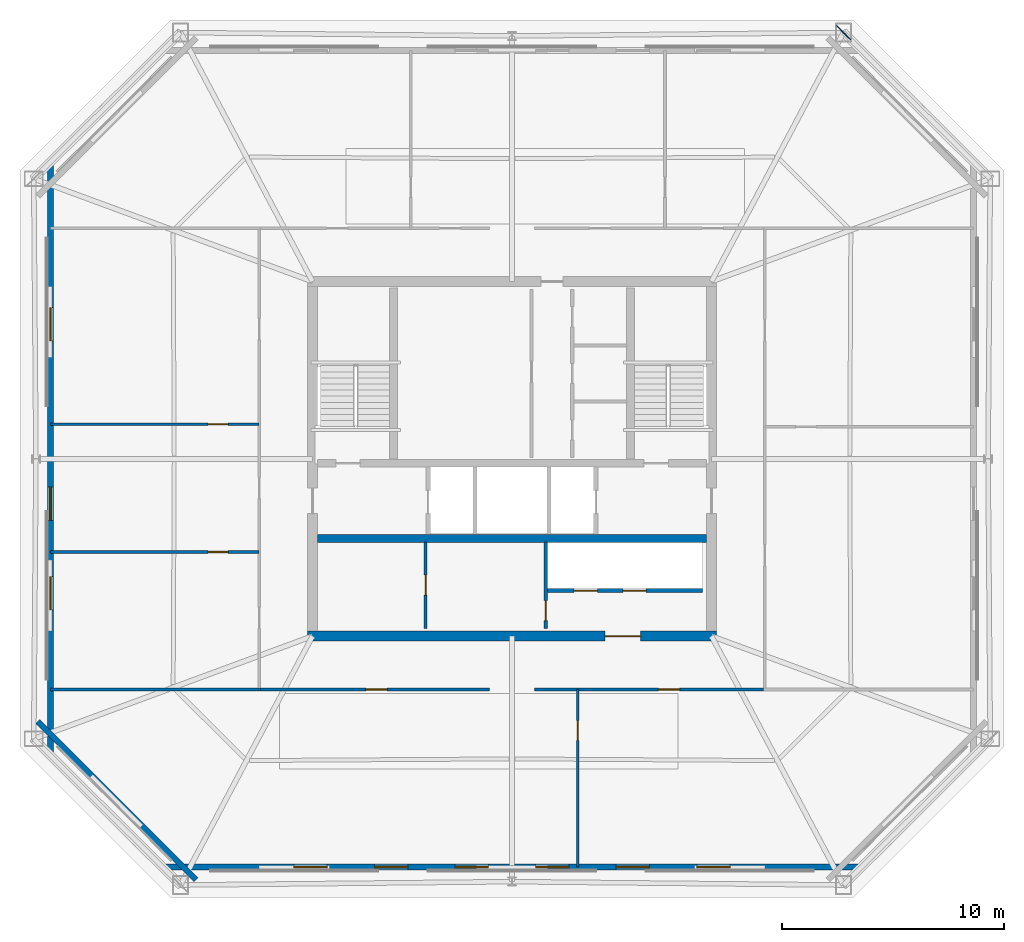
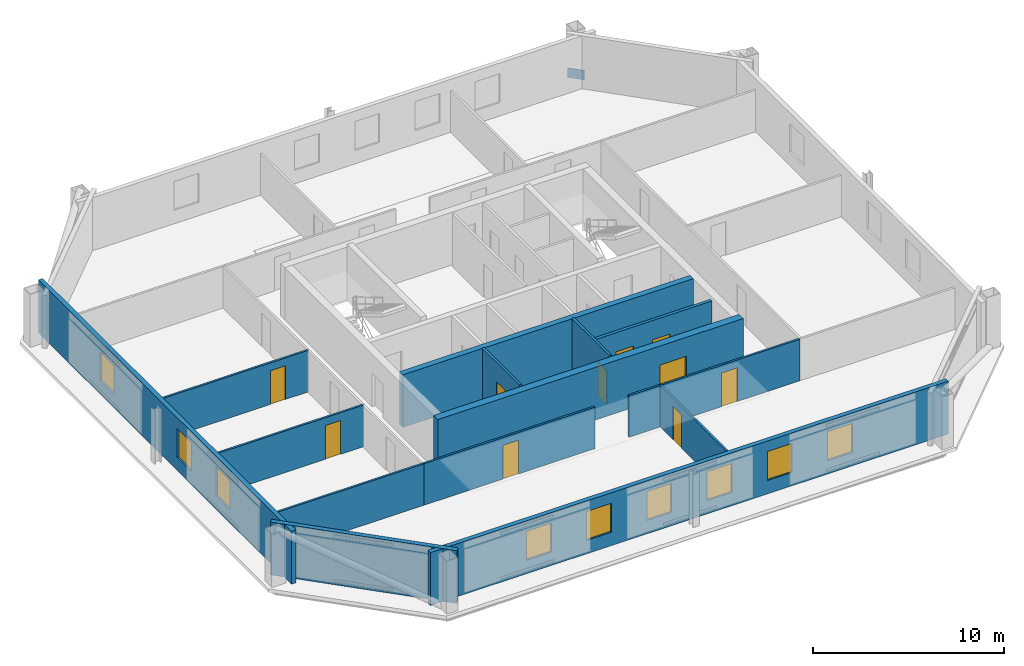
# One storey, part 2 of 6: 14 walls, 10 doors, 9 windows, 1 plate, 19 openings.
"""IFC4 building model written with IfcOpenShell, lengths in metres."""

from ifc_helpers import new_model, si_unit, direction, frame, frame_2d, origin, origin_2d, place, context, subcontext, project, spatial, rectangle, extrude, material, layer, layer_set, type_object, element, fill, save


model = new_model("IFC4")

# Units and contexts
model_context = context("Model", 3, precision=1e-05, world=origin(), true_north=direction((0.0, 1.0)))
body_context = subcontext(model_context, "Body", "Model", "MODEL_VIEW")
ifc_project = project(units=[si_unit("LENGTHUNIT", "METRE"), si_unit("AREAUNIT", "SQUARE_METRE"), si_unit("VOLUMEUNIT", "CUBIC_METRE"), si_unit("PLANEANGLEUNIT", "RADIAN"), si_unit("MASSUNIT", "GRAM", prefix="KILO")], contexts=[model_context])

# Site, building, storey
site_placement = place(None, origin())
site = spatial("IfcSite", under=ifc_project, at=site_placement, CompositionType="ELEMENT")
building_placement = place(site_placement, origin())
building = spatial("IfcBuilding", under=site, at=building_placement, Name="Caelvoria Tower", CompositionType="ELEMENT")
storey_placement = place(building_placement, frame((0.0, 0.0, 202.199951171875)))
storey = spatial("IfcBuildingStorey", under=building, at=storey_placement, Name="L53", CompositionType="ELEMENT", Elevation=202.199951171875)

# Plate
ifc_material_1 = material(Name="Structural Steel ASTM A572 Gr.50", Category="steel")
ifc_layer_1 = layer(ifc_material_1, 0.0400390625, Name="Structural Steel ASTM A572 Gr.50")
ifc_layer_set_1 = layer_set([ifc_layer_1], Name="Megaframe Node Gusset Plate 900x600x40 - Structural Steel ASTM A572 Gr.50")
plate_type = type_object("IfcPlateType", Name="Megaframe Node Gusset Plate 900x600x40", PredefinedType="USERDEFINED", material=ifc_layer_set_1)
plate_placement = place(storey_placement, frame((60.9580078125, 51.231689453125, 0.02001953125), z_axis=(0.0, 0.0, 1.0), x_axis=(0.708453170596, -0.705757823245, 0.0)))
element("IfcPlate", 1, at=plate_placement, inside=storey, type_object=plate_type, Name="Chamfer Mega Brace Gusset L53 NE", ObjectType="GUSSET_PLATE", PredefinedType="USERDEFINED", context=body_context, shape_type="SweptSolid", body=[
    extrude(rectangle(XDim=0.89990234375, YDim=0.0400390625, at=origin_2d()), origin(), (0.0, 0.0, 1.0), 0.60009765625),
])

# Wall
ifc_material_2 = material(Name="Concrete C50/60", Category="concrete")
ifc_layer_2 = layer(ifc_material_2, 0.35009765625, Name="Concrete C50/60")
ifc_layer_set_2 = layer_set([ifc_layer_2], Name="Core Internal Shear Wall 350 - Concrete C50/60")
wall_type_1 = type_object("IfcWallType", Name="Core Internal Shear Wall 350", PredefinedType="SHEAR", material=ifc_layer_set_2)
wall_1_placement = place(storey_placement, frame((37.22509765625, 28.39990234375, 0.0), z_axis=(0.0, 0.0, 1.0), x_axis=(1.0, 0.0, 0.0)))
element("IfcWall", 2, at=wall_1_placement, inside=storey, type_object=wall_type_1, Name="Core Shear Wall L53 M2", PredefinedType="SHEAR", context=body_context, shape_type="SweptSolid", body=[
    extrude(rectangle(XDim=17.5498046875, YDim=0.35009765625, at=frame_2d((8.77490234375, 0.0))), origin(), (0.0, 0.0, 1.0), 3.360107421875),
])

# Wall, opening, door
ifc_material_3 = material(Name="Double Gypsum Board on Steel Stud", Category="steel")
ifc_layer_3 = layer(ifc_material_3, 0.14990234375, Name="Double Gypsum Board on Steel Stud")
ifc_layer_set_3 = layer_set([ifc_layer_3], Name="Core Service Acoustic Partition Wall 150 - Double Gypsum Board on Steel Stud")
wall_type_2 = type_object("IfcWallType", Name="Core Service Acoustic Partition Wall 150", PredefinedType="PARTITIONING", material=ifc_layer_set_3)
wall_2_placement = place(storey_placement, frame((42.10009765625, 24.35009765625, 0.0), z_axis=(0.0, 0.0, 1.0), x_axis=(0.0, 1.0, 0.0)))
wall_2 = element("IfcWall", 3, at=wall_2_placement, inside=storey, type_object=wall_type_2, Name="Interior Partition IW-L53-RECL-MID", PredefinedType="PARTITIONING", context=body_context, shape_type="SweptSolid", body=[
    extrude(rectangle(XDim=3.89990234375, YDim=0.14990234375, at=frame_2d((1.949951171875, 0.0))), origin(), (0.0, 0.0, 1.0), 3.375),
])
opening_1_placement = place(wall_2_placement, frame((1.5, 0.0, 0.0)))
opening_1 = element("IfcOpeningElement", 4, at=opening_1_placement, cuts=wall_2, Name="Opening ID-06", PredefinedType="OPENING", context=body_context, shape_type="SweptSolid", body=[
    extrude(rectangle(XDim=0.89990234375, YDim=2.14990234375, at=frame_2d((0.449951171875, 1.074951171875))), frame((0.0, 0.0849609375, 0.0), z_axis=(0.0, -1.0, 0.0), x_axis=(1.0, 0.0, 0.0)), (0.0, 0.0, 1.0), 0.169921875),
])
ifc_material_4 = material(Name="Engineered Andean Oak Veneer Door", Category="wood")
door_type_1 = type_object("IfcDoorType", Name="Interior Timber Door 900x2150", OperationType="NOTDEFINED", PredefinedType="DOOR", material=ifc_material_4)
door_1_placement = place(opening_1_placement, origin())
door_1 = element("IfcDoor", 5, at=door_1_placement, inside=storey, type_object=door_type_1, Name="Interior Door DR-L53-RECL12", OperationType="SINGLE_SWING_LEFT", OverallHeight=2.14990234375, OverallWidth=0.89990234375, PredefinedType="DOOR", context=body_context, shape_type="SweptSolid", body=[
    extrude(rectangle(XDim=0.89990234375, YDim=2.14990234375, at=frame_2d((0.449951171875, 1.074951171875))), frame((0.0, 0.02490234375, 0.0), z_axis=(0.0, -1.0, 0.0), x_axis=(1.0, 0.0, 0.0)), (0.0, 0.0, 1.0), 0.050048828125),
])
fill(opening_1, door_1)

wall_3_placement = place(storey_placement, frame((47.52001953125, 24.35009765625, 0.0), z_axis=(0.0, 0.0, 1.0), x_axis=(0.0, 1.0, 0.0)))
wall_3 = element("IfcWall", 6, at=wall_3_placement, inside=storey, type_object=wall_type_2, Name="Interior Partition IW-L53-RECL2E", PredefinedType="PARTITIONING", context=body_context, shape_type="SweptSolid", body=[
    extrude(rectangle(XDim=3.89990234375, YDim=0.14990234375, at=frame_2d((1.949951171875, 0.0))), origin(), (0.0, 0.0, 1.0), 3.375),
])
opening_2_placement = place(wall_3_placement, frame((0.35009765625, 0.0, 0.0)))
opening_2 = element("IfcOpeningElement", 7, at=opening_2_placement, cuts=wall_3, Name="Opening ID-04", PredefinedType="OPENING", context=body_context, shape_type="SweptSolid", body=[
    extrude(rectangle(XDim=0.89990234375, YDim=2.14990234375, at=frame_2d((0.449951171875, 1.074951171875))), frame((0.0, 0.0849609375, 0.0), z_axis=(0.0, -1.0, 0.0), x_axis=(1.0, 0.0, 0.0)), (0.0, 0.0, 1.0), 0.169921875),
])
ifc_material_5 = material(Name="Acoustic Timber Fire Door", Category="wood")
door_type_2 = type_object("IfcDoorType", Name="Fire Door FD30S 900x2150", OperationType="NOTDEFINED", PredefinedType="DOOR", material=ifc_material_5)
door_2_placement = place(opening_2_placement, origin())
door_2 = element("IfcDoor", 8, at=door_2_placement, inside=storey, type_object=door_type_2, Name="Interior Door DR-L53-RECL2", OperationType="SINGLE_SWING_RIGHT", OverallHeight=2.14990234375, OverallWidth=0.89990234375, PredefinedType="DOOR", context=body_context, shape_type="SweptSolid", body=[
    extrude(rectangle(XDim=0.89990234375, YDim=2.14990234375, at=frame_2d((0.449951171875, 1.074951171875))), frame((0.0, 0.02490234375, 0.0), z_axis=(0.0, -1.0, 0.0), x_axis=(1.0, 0.0, 0.0)), (0.0, 0.0, 1.0), 0.050048828125),
])
fill(opening_2, door_2)

# Wall, openings, doors
ifc_material_6 = material(Name="Concrete Block and Fireboard Assembly", Category="concrete")
ifc_layer_4 = layer(ifc_material_6, 0.179931640625, Name="Concrete Block and Fireboard Assembly")
ifc_layer_set_4 = layer_set([ifc_layer_4], Name="Fire-Rated Hoistway Partition Wall 180 - Concrete Block and Fireboard Assembly")
wall_type_3 = type_object("IfcWallType", Name="Fire-Rated Hoistway Partition Wall 180", PredefinedType="PARTITIONING", material=ifc_layer_set_4)
wall_4_placement = place(storey_placement, frame((47.60009765625, 26.050048828125, 0.0), z_axis=(0.0, 0.0, 1.0), x_axis=(1.0, 0.0, 0.0)))
wall_4 = element("IfcWall", 9, at=wall_4_placement, inside=storey, type_object=wall_type_3, Name="Interior Partition IW-L53-LFRONT", PredefinedType="PARTITIONING", context=body_context, shape_type="SweptSolid", body=[
    extrude(rectangle(XDim=7.0, YDim=0.179931640625, at=frame_2d((3.5, 0.0))), origin(), (0.0, 0.0, 1.0), 3.375),
])
opening_3_placement = place(wall_4_placement, frame((1.199951171875, 0.0, 0.0)))
opening_3 = element("IfcOpeningElement", 10, at=opening_3_placement, cuts=wall_4, Name="Opening LD-01", PredefinedType="OPENING", context=body_context, shape_type="SweptSolid", body=[
    extrude(rectangle(XDim=1.050048828125, YDim=2.14990234375, at=frame_2d((0.52490234375, 1.074951171875))), frame((0.0, 0.099853515625, 0.0), z_axis=(0.0, -1.0, 0.0), x_axis=(1.0, 0.0, 0.0)), (0.0, 0.0, 1.0), 0.199951171875),
])
opening_4_placement = place(wall_4_placement, frame((3.39990234375, 0.0, 0.0)))
opening_4 = element("IfcOpeningElement", 11, at=opening_4_placement, cuts=wall_4, Name="Opening LD-01", PredefinedType="OPENING", context=body_context, shape_type="SweptSolid", body=[
    extrude(rectangle(XDim=1.050048828125, YDim=2.14990234375, at=frame_2d((0.52490234375, 1.074951171875))), frame((0.0, 0.099853515625, 0.0), z_axis=(0.0, -1.0, 0.0), x_axis=(1.0, 0.0, 0.0)), (0.0, 0.0, 1.0), 0.199951171875),
])
ifc_material_7 = material(Name="Brushed Bronze Stainless Sliding Landing Door", Category="aluminium")
door_type_3 = type_object("IfcDoorType", Name="Lift Landing Sliding Door 1100x2150", OperationType="NOTDEFINED", PredefinedType="DOOR", material=ifc_material_7)
door_3_placement = place(opening_3_placement, origin())
door_3 = element("IfcDoor", 12, at=door_3_placement, inside=storey, type_object=door_type_3, Name="Interior Door LD-L53-PH1", OperationType="SLIDING_TO_LEFT", OverallHeight=2.14990234375, OverallWidth=1.050048828125, PredefinedType="DOOR", context=body_context, shape_type="SweptSolid", body=[
    extrude(rectangle(XDim=1.050048828125, YDim=2.14990234375, at=frame_2d((0.52490234375, 1.074951171875))), frame((0.0, 0.02490234375, 0.0), z_axis=(0.0, -1.0, 0.0), x_axis=(1.0, 0.0, 0.0)), (0.0, 0.0, 1.0), 0.050048828125),
])
fill(opening_3, door_3)
door_4_placement = place(opening_4_placement, origin())
door_4 = element("IfcDoor", 13, at=door_4_placement, inside=storey, type_object=door_type_3, Name="Interior Door LD-L53-PH2", OperationType="SLIDING_TO_RIGHT", OverallHeight=2.14990234375, OverallWidth=1.050048828125, PredefinedType="DOOR", context=body_context, shape_type="SweptSolid", body=[
    extrude(rectangle(XDim=1.050048828125, YDim=2.14990234375, at=frame_2d((0.52490234375, 1.074951171875))), frame((0.0, 0.02490234375, 0.0), z_axis=(0.0, -1.0, 0.0), x_axis=(1.0, 0.0, 0.0)), (0.0, 0.0, 1.0), 0.050048828125),
])
fill(opening_4, door_4)

# Wall, opening, door
ifc_material_8 = material(Name="Acoustic Gypsum Board on Light-Gauge Stud", Category="gypsum")
ifc_layer_5 = layer(ifc_material_8, 0.1201171875, Name="Acoustic Gypsum Board on Light-Gauge Stud")
ifc_layer_set_5 = layer_set([ifc_layer_5], Name="Tenant Suite Acoustic Partition Wall 120 - Acoustic Gypsum Board on Light-Gauge Stud")
wall_type_4 = type_object("IfcWallType", Name="Tenant Suite Acoustic Partition Wall 120", PredefinedType="PARTITIONING", material=ifc_layer_set_5)
wall_5_placement = place(storey_placement, frame((48.959228515625, 21.590087890625, 0.0), z_axis=(0.0, 0.0, 1.0), x_axis=(0.0, -1.0, 0.0)))
wall_5 = element("IfcWall", 14, at=wall_5_placement, inside=storey, type_object=wall_type_4, Name="Interior Partition IW-L53-SD-00-0", PredefinedType="PARTITIONING", context=body_context, shape_type="SweptSolid", body=[
    extrude(rectangle(XDim=8.010009765625, YDim=0.1201171875, at=frame_2d((4.0048828125, 0.0))), origin(), (0.0, 0.0, 1.0), 2.655029296875),
])
opening_5_placement = place(wall_5_placement, frame((1.39990234375, 0.0, 0.0)))
opening_5 = element("IfcOpeningElement", 15, at=opening_5_placement, cuts=wall_5, Name="Opening ID-06", PredefinedType="OPENING", context=body_context, shape_type="SweptSolid", body=[
    extrude(rectangle(XDim=0.89990234375, YDim=2.14990234375, at=frame_2d((0.449951171875, 1.074951171875))), frame((0.0, 0.070068359375, 0.0), z_axis=(0.0, -1.0, 0.0), x_axis=(1.0, 0.0, 0.0)), (0.0, 0.0, 1.0), 0.14013671875),
])
door_5_placement = place(opening_5_placement, origin())
door_5 = element("IfcDoor", 16, at=door_5_placement, inside=storey, type_object=door_type_1, Name="Interior Door DR-L53-SM-00-0", OperationType="SINGLE_SWING_RIGHT", OverallHeight=2.14990234375, OverallWidth=0.89990234375, PredefinedType="DOOR", context=body_context, shape_type="SweptSolid", body=[
    extrude(rectangle(XDim=0.89990234375, YDim=2.14990234375, at=frame_2d((0.449951171875, 1.074951171875))), frame((0.0, 0.02490234375, 0.0), z_axis=(0.0, -1.0, 0.0), x_axis=(1.0, 0.0, 0.0)), (0.0, 0.0, 1.0), 0.050048828125),
])
fill(opening_5, door_5)

wall_6_placement = place(storey_placement, frame((34.64990234375, 21.590087890625, 0.0), z_axis=(0.0, 0.0, 1.0), x_axis=(1.0, 0.0, 0.0)))
wall_6 = element("IfcWall", 17, at=wall_6_placement, inside=storey, type_object=wall_type_4, Name="Interior Partition IW-L53-SCW-0", PredefinedType="PARTITIONING", context=body_context, shape_type="SweptSolid", body=[
    extrude(rectangle(XDim=10.330078125, YDim=0.1201171875, at=frame_2d((5.1650390625, 0.0))), origin(), (0.0, 0.0, 1.0), 2.655029296875),
])
opening_6_placement = place(wall_6_placement, frame((4.760009765625, 0.0, 0.0)))
opening_6 = element("IfcOpeningElement", 18, at=opening_6_placement, cuts=wall_6, Name="Opening ID-05", PredefinedType="OPENING", context=body_context, shape_type="SweptSolid", body=[
    extrude(rectangle(XDim=0.949951171875, YDim=2.14990234375, at=frame_2d((0.47509765625, 1.074951171875))), frame((0.0, 0.070068359375, 0.0), z_axis=(0.0, -1.0, 0.0), x_axis=(1.0, 0.0, 0.0)), (0.0, 0.0, 1.0), 0.14013671875),
])
door_type_4 = type_object("IfcDoorType", Name="Interior Timber Door 950x2150", OperationType="NOTDEFINED", PredefinedType="DOOR", material=ifc_material_4)
door_6_placement = place(opening_6_placement, origin())
door_6 = element("IfcDoor", 19, at=door_6_placement, inside=storey, type_object=door_type_4, Name="Interior Door DR-L53-SC-00-0", OperationType="SINGLE_SWING_RIGHT", OverallHeight=2.14990234375, OverallWidth=0.949951171875, PredefinedType="DOOR", context=body_context, shape_type="SweptSolid", body=[
    extrude(rectangle(XDim=0.949951171875, YDim=2.14990234375, at=frame_2d((0.47509765625, 1.074951171875))), frame((0.0, 0.02490234375, 0.0), z_axis=(0.0, -1.0, 0.0), x_axis=(1.0, 0.0, 0.0)), (0.0, 0.0, 1.0), 0.050048828125),
])
fill(opening_6, door_6)

wall_7_placement = place(storey_placement, frame((47.02001953125, 21.590087890625, 0.0), z_axis=(0.0, 0.0, 1.0), x_axis=(1.0, 0.0, 0.0)))
wall_7 = element("IfcWall", 20, at=wall_7_placement, inside=storey, type_object=wall_type_4, Name="Interior Partition IW-L53-SCW-1", PredefinedType="PARTITIONING", context=body_context, shape_type="SweptSolid", body=[
    extrude(rectangle(XDim=10.330078125, YDim=0.1201171875, at=frame_2d((5.1650390625, 0.0))), origin(), (0.0, 0.0, 1.0), 2.655029296875),
])
opening_7_placement = place(wall_7_placement, frame((5.589599609375, 0.0, 0.0)))
opening_7 = element("IfcOpeningElement", 21, at=opening_7_placement, cuts=wall_7, Name="Opening ID-05", PredefinedType="OPENING", context=body_context, shape_type="SweptSolid", body=[
    extrude(rectangle(XDim=0.949951171875, YDim=2.14990234375, at=frame_2d((0.47509765625, 1.074951171875))), frame((0.0, 0.070068359375, 0.0), z_axis=(0.0, -1.0, 0.0), x_axis=(1.0, 0.0, 0.0)), (0.0, 0.0, 1.0), 0.14013671875),
])
door_7_placement = place(opening_7_placement, origin())
door_7 = element("IfcDoor", 22, at=door_7_placement, inside=storey, type_object=door_type_4, Name="Interior Door DR-L53-SC-01-0", OperationType="SINGLE_SWING_LEFT", OverallHeight=2.14990234375, OverallWidth=0.949951171875, PredefinedType="DOOR", context=body_context, shape_type="SweptSolid", body=[
    extrude(rectangle(XDim=0.949951171875, YDim=2.14990234375, at=frame_2d((0.47509765625, 1.074951171875))), frame((0.0, 0.02490234375, 0.0), z_axis=(0.0, -1.0, 0.0), x_axis=(1.0, 0.0, 0.0)), (0.0, 0.0, 1.0), 0.050048828125),
])
fill(opening_7, door_7)

wall_8_placement = place(storey_placement, frame((34.590087890625, 27.797119140625, 0.0), z_axis=(0.0, 0.0, 1.0), x_axis=(-1.0, 0.0, 0.0)))
wall_8 = element("IfcWall", 23, at=wall_8_placement, inside=storey, type_object=wall_type_4, Name="Interior Partition IW-L53-WD-00-0", PredefinedType="PARTITIONING", context=body_context, shape_type="SweptSolid", body=[
    extrude(rectangle(XDim=9.41015625, YDim=0.1201171875, at=frame_2d((4.705078125, 0.0))), origin(), (0.0, 0.0, 1.0), 2.655029296875),
])
opening_8_placement = place(wall_8_placement, frame((1.39990234375, 0.0, 0.0)))
opening_8 = element("IfcOpeningElement", 24, at=opening_8_placement, cuts=wall_8, Name="Opening ID-06", PredefinedType="OPENING", context=body_context, shape_type="SweptSolid", body=[
    extrude(rectangle(XDim=0.89990234375, YDim=2.14990234375, at=frame_2d((0.449951171875, 1.074951171875))), frame((0.0, 0.070068359375, 0.0), z_axis=(0.0, -1.0, 0.0), x_axis=(1.0, 0.0, 0.0)), (0.0, 0.0, 1.0), 0.14013671875),
])
door_8_placement = place(opening_8_placement, origin())
door_8 = element("IfcDoor", 25, at=door_8_placement, inside=storey, type_object=door_type_1, Name="Interior Door DR-L53-WM-00-0", OperationType="SINGLE_SWING_RIGHT", OverallHeight=2.14990234375, OverallWidth=0.89990234375, PredefinedType="DOOR", context=body_context, shape_type="SweptSolid", body=[
    extrude(rectangle(XDim=0.89990234375, YDim=2.14990234375, at=frame_2d((0.449951171875, 1.074951171875))), frame((0.0, 0.02490234375, 0.0), z_axis=(0.0, -1.0, 0.0), x_axis=(1.0, 0.0, 0.0)), (0.0, 0.0, 1.0), 0.050048828125),
])
fill(opening_8, door_8)

wall_9_placement = place(storey_placement, frame((34.590087890625, 33.565673828125, 0.0), z_axis=(0.0, 0.0, 1.0), x_axis=(-1.0, 0.0, 0.0)))
wall_9 = element("IfcWall", 26, at=wall_9_placement, inside=storey, type_object=wall_type_4, Name="Interior Partition IW-L53-WD-01-0", PredefinedType="PARTITIONING", context=body_context, shape_type="SweptSolid", body=[
    extrude(rectangle(XDim=9.41015625, YDim=0.1201171875, at=frame_2d((4.705078125, 0.0))), origin(), (0.0, 0.0, 1.0), 2.655029296875),
])
opening_9_placement = place(wall_9_placement, frame((1.39990234375, 0.0, 0.0)))
opening_9 = element("IfcOpeningElement", 27, at=opening_9_placement, cuts=wall_9, Name="Opening ID-06", PredefinedType="OPENING", context=body_context, shape_type="SweptSolid", body=[
    extrude(rectangle(XDim=0.89990234375, YDim=2.14990234375, at=frame_2d((0.449951171875, 1.074951171875))), frame((0.0, 0.070068359375, 0.0), z_axis=(0.0, -1.0, 0.0), x_axis=(1.0, 0.0, 0.0)), (0.0, 0.0, 1.0), 0.14013671875),
])
door_9_placement = place(opening_9_placement, origin())
door_9 = element("IfcDoor", 28, at=door_9_placement, inside=storey, type_object=door_type_1, Name="Interior Door DR-L53-WM-01-0", OperationType="SINGLE_SWING_LEFT", OverallHeight=2.14990234375, OverallWidth=0.89990234375, PredefinedType="DOOR", context=body_context, shape_type="SweptSolid", body=[
    extrude(rectangle(XDim=0.89990234375, YDim=2.14990234375, at=frame_2d((0.449951171875, 1.074951171875))), frame((0.0, 0.02490234375, 0.0), z_axis=(0.0, -1.0, 0.0), x_axis=(1.0, 0.0, 0.0)), (0.0, 0.0, 1.0), 0.050048828125),
])
fill(opening_9, door_9)

# Wall
wall_10_placement = place(storey_placement, frame((34.64990234375, 21.590087890625, 0.0), z_axis=(0.0, 0.0, 1.0), x_axis=(-1.0, 0.0, 0.0)))
element("IfcWall", 29, at=wall_10_placement, inside=storey, type_object=wall_type_4, Name="Interior Partition IW-L53-BSW-0", PredefinedType="PARTITIONING", context=body_context, shape_type="SweptSolid", body=[
    extrude(rectangle(XDim=9.469970703125, YDim=0.1201171875, at=frame_2d((4.73486328125, 0.0))), origin(), (0.0, 0.0, 1.0), 2.655029296875),
])

# Wall, opening, door
ifc_layer_6 = layer(ifc_material_2, 0.449951171875, Name="Concrete C50/60")
ifc_layer_set_6 = layer_set([ifc_layer_6], Name="Upper Core Shear Wall 450 - Concrete C50/60")
wall_type_5 = type_object("IfcWallType", Name="Upper Core Shear Wall 450", PredefinedType="SHEAR", material=ifc_layer_set_6)
wall_11_placement = place(storey_placement, frame((36.77490234375, 24.0, 0.0), z_axis=(0.0, 0.0, 1.0), x_axis=(1.0, 0.0, 0.0)))
wall_11 = element("IfcWall", 30, at=wall_11_placement, inside=storey, type_object=wall_type_5, Name="Core Shear Wall L53 S", PredefinedType="SHEAR", context=body_context, shape_type="SweptSolid", body=[
    extrude(rectangle(XDim=18.4501953125, YDim=0.449951171875, at=frame_2d((9.22509765625, 0.0))), origin(), (0.0, 0.0, 1.0), 3.360107421875),
])
opening_10_placement = place(wall_11_placement, frame((13.425048828125, 0.0, 0.0)))
opening_10 = element("IfcOpeningElement", 31, at=opening_10_placement, cuts=wall_11, Name="Opening ID-08", PredefinedType="OPENING", context=body_context, shape_type="SweptSolid", body=[
    extrude(rectangle(XDim=1.60009765625, YDim=2.14990234375, at=frame_2d((0.800048828125, 1.074951171875))), frame((0.0, 0.23486328125, 0.0), z_axis=(0.0, -1.0, 0.0), x_axis=(1.0, 0.0, 0.0)), (0.0, 0.0, 1.0), 0.469970703125),
])
ifc_material_9 = material(Name="Bronze-Framed Fire-Rated Glazed Double Door", Category="aluminium")
door_type_5 = type_object("IfcDoorType", Name="Double Lobby Glazed Door 1600x2200", OperationType="NOTDEFINED", PredefinedType="DOOR", material=ifc_material_9)
door_10_placement = place(opening_10_placement, origin())
door_10 = element("IfcDoor", 32, at=door_10_placement, inside=storey, type_object=door_type_5, Name="Core Door DR-L53-LLOB-S2", OperationType="DOUBLE_DOOR_SINGLE_SWING", OverallHeight=2.14990234375, OverallWidth=1.60009765625, PredefinedType="DOOR", context=body_context, shape_type="SweptSolid", body=[
    extrude(rectangle(XDim=1.60009765625, YDim=2.14990234375, at=frame_2d((0.800048828125, 1.074951171875))), frame((0.0, 0.02490234375, 0.0), z_axis=(0.0, -1.0, 0.0), x_axis=(1.0, 0.0, 0.0)), (0.0, 0.0, 1.0), 0.050048828125),
])
fill(opening_10, door_10)

# Wall, openings, windows
ifc_material_10 = material(Name="Precast Concrete C40/50 with Bronze Cladding", Category="concrete")
ifc_layer_7 = layer(ifc_material_10, 0.264892578125, Name="Precast Concrete C40/50 with Bronze Cladding")
ifc_layer_set_7 = layer_set([ifc_layer_7], Name="Upper Taper Precast Concrete C40/50 Bronze Facade Wall 265 - Precast Concrete C40/50 with Bronze Cladding")
wall_type_6 = type_object("IfcWallType", Name="Upper Taper Precast Concrete C40/50 Bronze Facade Wall 265", PredefinedType="STANDARD", material=ifc_layer_set_7)
wall_12_placement = place(storey_placement, frame((30.360107421875, 13.580078125, 0.0), z_axis=(0.0, 0.0, 1.0), x_axis=(1.0, 0.0, 0.0)))
wall_12 = element("IfcWall", 33, at=wall_12_placement, inside=storey, type_object=wall_type_6, Name="Exterior Facade Wall L53-E0", PredefinedType="STANDARD", context=body_context, shape_type="SweptSolid", body=[
    extrude(rectangle(XDim=31.27978515625, YDim=0.264892578125, at=frame_2d((15.639892578125, 0.0))), origin(), (0.0, 0.0, 1.0), 3.375),
])
opening_11_placement = place(wall_12_placement, frame((5.802490234375, 0.0, 0.85009765625)))
opening_11 = element("IfcOpeningElement", 34, at=opening_11_placement, cuts=wall_12, Name="Opening WN-03", PredefinedType="OPENING", context=body_context, shape_type="SweptSolid", body=[
    extrude(rectangle(XDim=1.5, YDim=1.85009765625, at=frame_2d((0.75, 0.925048828125))), frame((0.0, 0.142333984375, 0.0), z_axis=(0.0, -1.0, 0.0), x_axis=(1.0, 0.0, 0.0)), (0.0, 0.0, 1.0), 0.284912109375),
])
opening_12_placement = place(wall_12_placement, frame((9.4375, 0.0, 0.85009765625)))
opening_12 = element("IfcOpeningElement", 35, at=opening_12_placement, cuts=wall_12, Name="Opening WN-03", PredefinedType="OPENING", context=body_context, shape_type="SweptSolid", body=[
    extrude(rectangle(XDim=1.5, YDim=1.85009765625, at=frame_2d((0.75, 0.925048828125))), frame((0.0, 0.142333984375, 0.0), z_axis=(0.0, -1.0, 0.0), x_axis=(1.0, 0.0, 0.0)), (0.0, 0.0, 1.0), 0.284912109375),
])
opening_13_placement = place(wall_12_placement, frame((13.072509765625, 0.0, 0.85009765625)))
opening_13 = element("IfcOpeningElement", 36, at=opening_13_placement, cuts=wall_12, Name="Opening WN-03", PredefinedType="OPENING", context=body_context, shape_type="SweptSolid", body=[
    extrude(rectangle(XDim=1.5, YDim=1.85009765625, at=frame_2d((0.75, 0.925048828125))), frame((0.0, 0.142333984375, 0.0), z_axis=(0.0, -1.0, 0.0), x_axis=(1.0, 0.0, 0.0)), (0.0, 0.0, 1.0), 0.284912109375),
])
opening_14_placement = place(wall_12_placement, frame((16.70751953125, 0.0, 0.85009765625)))
opening_14 = element("IfcOpeningElement", 37, at=opening_14_placement, cuts=wall_12, Name="Opening WN-03", PredefinedType="OPENING", context=body_context, shape_type="SweptSolid", body=[
    extrude(rectangle(XDim=1.5, YDim=1.85009765625, at=frame_2d((0.75, 0.925048828125))), frame((0.0, 0.142333984375, 0.0), z_axis=(0.0, -1.0, 0.0), x_axis=(1.0, 0.0, 0.0)), (0.0, 0.0, 1.0), 0.284912109375),
])
opening_15_placement = place(wall_12_placement, frame((20.342529296875, 0.0, 0.85009765625)))
opening_15 = element("IfcOpeningElement", 38, at=opening_15_placement, cuts=wall_12, Name="Opening WN-03", PredefinedType="OPENING", context=body_context, shape_type="SweptSolid", body=[
    extrude(rectangle(XDim=1.5, YDim=1.85009765625, at=frame_2d((0.75, 0.925048828125))), frame((0.0, 0.142333984375, 0.0), z_axis=(0.0, -1.0, 0.0), x_axis=(1.0, 0.0, 0.0)), (0.0, 0.0, 1.0), 0.284912109375),
])
opening_16_placement = place(wall_12_placement, frame((23.9775390625, 0.0, 0.85009765625)))
opening_16 = element("IfcOpeningElement", 39, at=opening_16_placement, cuts=wall_12, Name="Opening WN-03", PredefinedType="OPENING", context=body_context, shape_type="SweptSolid", body=[
    extrude(rectangle(XDim=1.5, YDim=1.85009765625, at=frame_2d((0.75, 0.925048828125))), frame((0.0, 0.142333984375, 0.0), z_axis=(0.0, -1.0, 0.0), x_axis=(1.0, 0.0, 0.0)), (0.0, 0.0, 1.0), 0.284912109375),
])
ifc_material_11 = material(Name="Low-E Tinted Glass in Bronze Aluminium Frame", Category="aluminium")
window_type = type_object("IfcWindowType", Name="Upper Taper Vision Window 1500x1850", PartitioningType="SINGLE_PANEL", PredefinedType="WINDOW", material=ifc_material_11)
window_1_placement = place(opening_11_placement, origin())
window_1 = element("IfcWindow", 40, at=window_1_placement, inside=storey, type_object=window_type, Name="Facade Window L53-E0-01", OverallHeight=1.85009765625, OverallWidth=1.5, PartitioningType="SINGLE_PANEL", PredefinedType="WINDOW", context=body_context, shape_type="SweptSolid", body=[
    extrude(rectangle(XDim=1.5, YDim=1.85009765625, at=frame_2d((0.75, 0.925048828125))), frame((0.0, 0.030029296875, 0.0), z_axis=(0.0, -1.0, 0.0), x_axis=(1.0, 0.0, 0.0)), (0.0, 0.0, 1.0), 0.06005859375),
])
fill(opening_11, window_1)
window_2_placement = place(opening_12_placement, origin())
window_2 = element("IfcWindow", 41, at=window_2_placement, inside=storey, type_object=window_type, Name="Facade Window L53-E0-02", OverallHeight=1.85009765625, OverallWidth=1.5, PartitioningType="SINGLE_PANEL", PredefinedType="WINDOW", context=body_context, shape_type="SweptSolid", body=[
    extrude(rectangle(XDim=1.5, YDim=1.85009765625, at=frame_2d((0.75, 0.925048828125))), frame((0.0, 0.030029296875, 0.0), z_axis=(0.0, -1.0, 0.0), x_axis=(1.0, 0.0, 0.0)), (0.0, 0.0, 1.0), 0.06005859375),
])
fill(opening_12, window_2)
window_3_placement = place(opening_13_placement, origin())
window_3 = element("IfcWindow", 42, at=window_3_placement, inside=storey, type_object=window_type, Name="Facade Window L53-E0-03", OverallHeight=1.85009765625, OverallWidth=1.5, PartitioningType="SINGLE_PANEL", PredefinedType="WINDOW", context=body_context, shape_type="SweptSolid", body=[
    extrude(rectangle(XDim=1.5, YDim=1.85009765625, at=frame_2d((0.75, 0.925048828125))), frame((0.0, 0.030029296875, 0.0), z_axis=(0.0, -1.0, 0.0), x_axis=(1.0, 0.0, 0.0)), (0.0, 0.0, 1.0), 0.06005859375),
])
fill(opening_13, window_3)
window_4_placement = place(opening_14_placement, origin())
window_4 = element("IfcWindow", 43, at=window_4_placement, inside=storey, type_object=window_type, Name="Facade Window L53-E0-04", OverallHeight=1.85009765625, OverallWidth=1.5, PartitioningType="SINGLE_PANEL", PredefinedType="WINDOW", context=body_context, shape_type="SweptSolid", body=[
    extrude(rectangle(XDim=1.5, YDim=1.85009765625, at=frame_2d((0.75, 0.925048828125))), frame((0.0, 0.030029296875, 0.0), z_axis=(0.0, -1.0, 0.0), x_axis=(1.0, 0.0, 0.0)), (0.0, 0.0, 1.0), 0.06005859375),
])
fill(opening_14, window_4)
window_5_placement = place(opening_15_placement, origin())
window_5 = element("IfcWindow", 44, at=window_5_placement, inside=storey, type_object=window_type, Name="Facade Window L53-E0-05", OverallHeight=1.85009765625, OverallWidth=1.5, PartitioningType="SINGLE_PANEL", PredefinedType="WINDOW", context=body_context, shape_type="SweptSolid", body=[
    extrude(rectangle(XDim=1.5, YDim=1.85009765625, at=frame_2d((0.75, 0.925048828125))), frame((0.0, 0.030029296875, 0.0), z_axis=(0.0, -1.0, 0.0), x_axis=(1.0, 0.0, 0.0)), (0.0, 0.0, 1.0), 0.06005859375),
])
fill(opening_15, window_5)
window_6_placement = place(opening_16_placement, origin())
window_6 = element("IfcWindow", 45, at=window_6_placement, inside=storey, type_object=window_type, Name="Facade Window L53-E0-06", OverallHeight=1.85009765625, OverallWidth=1.5, PartitioningType="SINGLE_PANEL", PredefinedType="WINDOW", context=body_context, shape_type="SweptSolid", body=[
    extrude(rectangle(XDim=1.5, YDim=1.85009765625, at=frame_2d((0.75, 0.925048828125))), frame((0.0, 0.030029296875, 0.0), z_axis=(0.0, -1.0, 0.0), x_axis=(1.0, 0.0, 0.0)), (0.0, 0.0, 1.0), 0.06005859375),
])
fill(opening_16, window_6)

wall_13_placement = place(storey_placement, frame((25.179931640625, 45.239990234375, 0.0), z_axis=(0.0, 0.0, 1.0), x_axis=(0.0, -1.0, 0.0)))
wall_13 = element("IfcWall", 46, at=wall_13_placement, inside=storey, type_object=wall_type_6, Name="Exterior Facade Wall L53-E6", PredefinedType="STANDARD", context=body_context, shape_type="SweptSolid", body=[
    extrude(rectangle(XDim=26.47998046875, YDim=0.264892578125, at=frame_2d((13.239990234375, 0.0))), origin(), (0.0, 0.0, 1.0), 3.375),
])
opening_17_placement = place(wall_13_placement, frame((6.419921875, 0.0, 0.85009765625)))
opening_17 = element("IfcOpeningElement", 47, at=opening_17_placement, cuts=wall_13, Name="Opening WN-03", PredefinedType="OPENING", context=body_context, shape_type="SweptSolid", body=[
    extrude(rectangle(XDim=1.5, YDim=1.85009765625, at=frame_2d((0.75, 0.925048828125))), frame((0.0, 0.142333984375, 0.0), z_axis=(0.0, -1.0, 0.0), x_axis=(1.0, 0.0, 0.0)), (0.0, 0.0, 1.0), 0.284912109375),
])
opening_18_placement = place(wall_13_placement, frame((14.51318359375, 0.0, 0.85009765625)))
opening_18 = element("IfcOpeningElement", 48, at=opening_18_placement, cuts=wall_13, Name="Opening WN-03", PredefinedType="OPENING", context=body_context, shape_type="SweptSolid", body=[
    extrude(rectangle(XDim=1.5, YDim=1.85009765625, at=frame_2d((0.75, 0.925048828125))), frame((0.0, 0.142333984375, 0.0), z_axis=(0.0, -1.0, 0.0), x_axis=(1.0, 0.0, 0.0)), (0.0, 0.0, 1.0), 0.284912109375),
])
opening_19_placement = place(wall_13_placement, frame((18.56005859375, 0.0, 0.85009765625)))
opening_19 = element("IfcOpeningElement", 49, at=opening_19_placement, cuts=wall_13, Name="Opening WN-03", PredefinedType="OPENING", context=body_context, shape_type="SweptSolid", body=[
    extrude(rectangle(XDim=1.5, YDim=1.85009765625, at=frame_2d((0.75, 0.925048828125))), frame((0.0, 0.142333984375, 0.0), z_axis=(0.0, -1.0, 0.0), x_axis=(1.0, 0.0, 0.0)), (0.0, 0.0, 1.0), 0.284912109375),
])
window_7_placement = place(opening_17_placement, origin())
window_7 = element("IfcWindow", 50, at=window_7_placement, inside=storey, type_object=window_type, Name="Facade Window L53-E6-01", OverallHeight=1.85009765625, OverallWidth=1.5, PartitioningType="SINGLE_PANEL", PredefinedType="WINDOW", context=body_context, shape_type="SweptSolid", body=[
    extrude(rectangle(XDim=1.5, YDim=1.85009765625, at=frame_2d((0.75, 0.925048828125))), frame((0.0, 0.030029296875, 0.0), z_axis=(0.0, -1.0, 0.0), x_axis=(1.0, 0.0, 0.0)), (0.0, 0.0, 1.0), 0.06005859375),
])
fill(opening_17, window_7)
window_8_placement = place(opening_18_placement, origin())
window_8 = element("IfcWindow", 51, at=window_8_placement, inside=storey, type_object=window_type, Name="Facade Window L53-E6-03", OverallHeight=1.85009765625, OverallWidth=1.5, PartitioningType="SINGLE_PANEL", PredefinedType="WINDOW", context=body_context, shape_type="SweptSolid", body=[
    extrude(rectangle(XDim=1.5, YDim=1.85009765625, at=frame_2d((0.75, 0.925048828125))), frame((0.0, 0.030029296875, 0.0), z_axis=(0.0, -1.0, 0.0), x_axis=(1.0, 0.0, 0.0)), (0.0, 0.0, 1.0), 0.06005859375),
])
fill(opening_18, window_8)
window_9_placement = place(opening_19_placement, origin())
window_9 = element("IfcWindow", 52, at=window_9_placement, inside=storey, type_object=window_type, Name="Facade Window L53-E6-04", OverallHeight=1.85009765625, OverallWidth=1.5, PartitioningType="SINGLE_PANEL", PredefinedType="WINDOW", context=body_context, shape_type="SweptSolid", body=[
    extrude(rectangle(XDim=1.5, YDim=1.85009765625, at=frame_2d((0.75, 0.925048828125))), frame((0.0, 0.030029296875, 0.0), z_axis=(0.0, -1.0, 0.0), x_axis=(1.0, 0.0, 0.0)), (0.0, 0.0, 1.0), 0.06005859375),
])
fill(opening_19, window_9)

# Wall
wall_14_placement = place(storey_placement, frame((24.606201171875, 20.1455078125, 0.0), z_axis=(0.0, 0.0, 1.0), x_axis=(0.707106781187, -0.707106781187, 0.0)))
element("IfcWall", 53, at=wall_14_placement, inside=storey, type_object=wall_type_6, Name="Exterior Facade Wall L53-E7", PredefinedType="STANDARD", context=body_context, shape_type="SweptSolid", body=[
    extrude(rectangle(XDim=10.0966796875, YDim=0.264892578125, at=frame_2d((5.04833984375, 0.0))), origin(), (0.0, 0.0, 1.0), 3.375),
])

save(model, "model.ifc")
